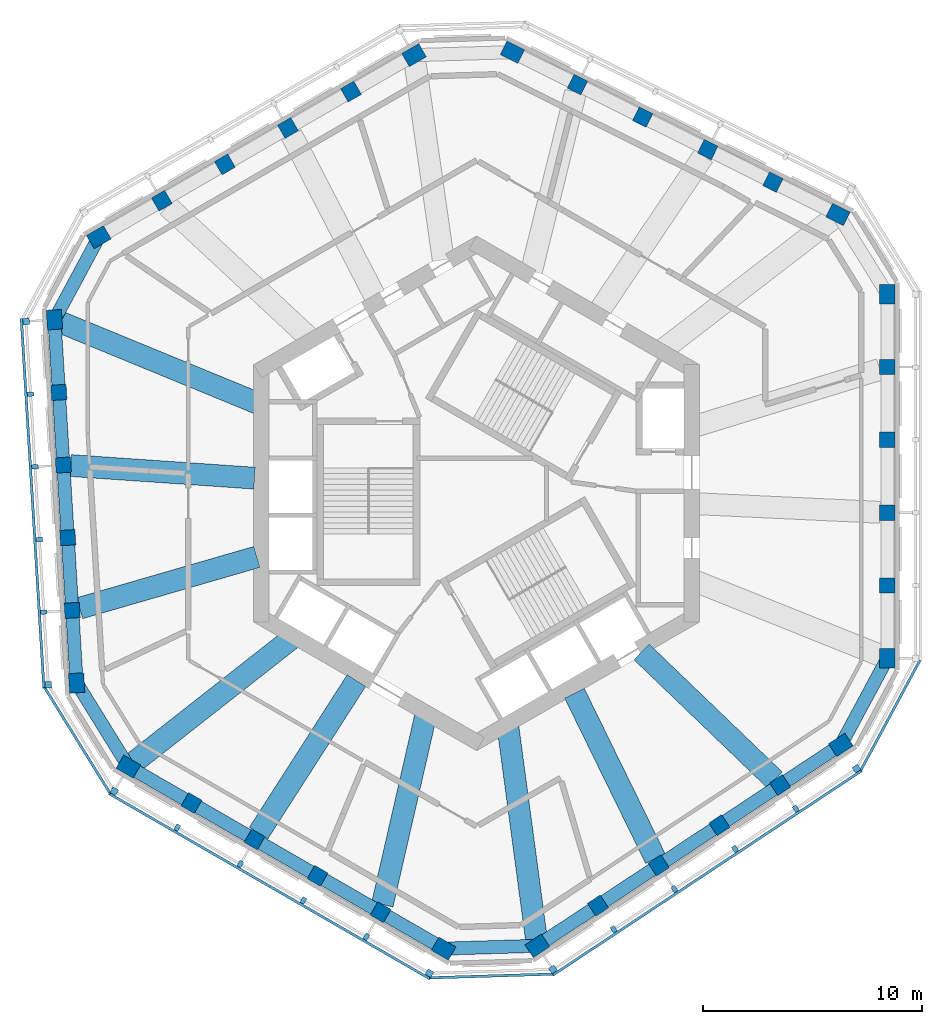
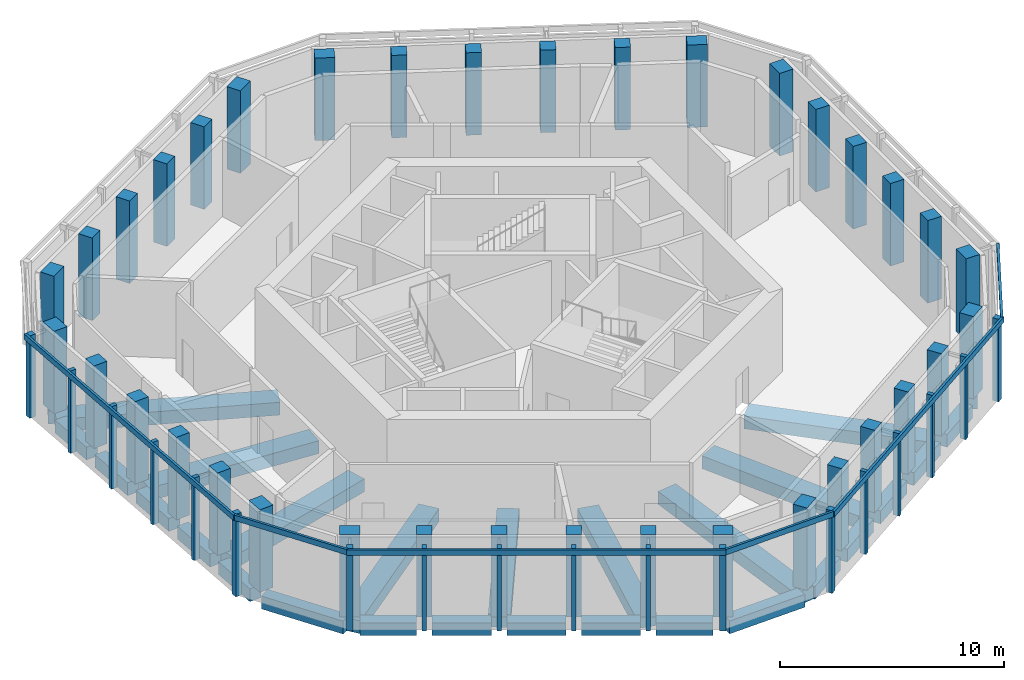
# One storey, part 1 of 9: 36 columns, 28 beams, 24 members, 6 elements without a shape of their own.
"""IFC4 building model written with IfcOpenShell, lengths in metres."""

from ifc_helpers import new_model, si_unit, direction, frame, origin, origin_2d, place, context, subcontext, project, spatial, rectangle, extrude, material, material_profile, profile_set, type_object, element, aggregate, save


model = new_model("IFC4")

# Units and contexts
model_context = context("Model", 3, precision=1e-05, world=origin(), true_north=direction((0.0, 1.0)))
body_context = subcontext(model_context, "Body", "Model", "MODEL_VIEW")
ifc_project = project(units=[si_unit("LENGTHUNIT", "METRE"), si_unit("AREAUNIT", "SQUARE_METRE"), si_unit("VOLUMEUNIT", "CUBIC_METRE"), si_unit("PLANEANGLEUNIT", "RADIAN"), si_unit("MASSUNIT", "GRAM", prefix="KILO")], contexts=[model_context])

# Site, building, storey
site_placement = place(None, origin())
site = spatial("IfcSite", under=ifc_project, at=site_placement, CompositionType="ELEMENT")
building_placement = place(site_placement, origin())
building = spatial("IfcBuilding", under=site, at=building_placement, Name="Vanh Sen Convention Tower", CompositionType="ELEMENT")
storey_placement = place(building_placement, frame((0.0, 0.0, 300.5)))
storey = spatial("IfcBuildingStorey", under=building, at=storey_placement, Name="L74", CompositionType="ELEMENT", Elevation=300.5)

# Columns
ifc_material_1 = material(Name="Concrete C60/75", Category="concrete")
ifc_material_profile_1 = material_profile(ifc_material_1, rectangle(XDim=0.699951171875, YDim=0.699951171875, at=origin_2d()), Name="RC 700X700")
ifc_profile_set_1 = profile_set([ifc_material_profile_1], Name="Concrete C60/75")
column_type_1 = type_object("IfcColumnType", Name="Facade column 700 x 700 C60/75", PredefinedType="COLUMN", material=ifc_profile_set_1)
for number, where, z_axis, x_axis, name in (
    (1, (18.800048828125, -4.215087890625, 0.0), (0.0, 0.0, 1.0), (0.0, 1.0, 0.0), "Facade column 02 L74"),
    (2, (18.800048828125, -0.88330078125, 0.0), (0.0, 0.0, 1.0), (0.0, 1.0, 0.0), "Facade column 03 L74"),
    (3, (18.800048828125, 2.4482421875, 0.0), (0.0, 0.0, 1.0), (0.0, 1.0, 0.0), "Facade column 04 L74"),
    (4, (18.800048828125, 5.77978515625, 0.0), (0.0, 0.0, 1.0), (0.0, 1.0, 0.0), "Facade column 05 L74"),
    (5, (13.56103515625, 14.245849609375, 0.0), (0.0, 0.0, 1.0), (-0.894934361602, 0.44619781311, 0.0), "Facade column 08 L74"),
    (6, (10.57958984375, 15.732421875, 0.0), (0.0, 0.0, 1.0), (-0.894934361602, 0.44619781311, 0.0), "Facade column 09 L74"),
    (7, (7.597900390625, 17.218994140625, 0.0), (0.0, 0.0, 1.0), (-0.894934361602, 0.44619781311, 0.0), "Facade column 10 L74"),
    (8, (4.6162109375, 18.70556640625, 0.0), (0.0, 0.0, 1.0), (-0.894934361602, 0.44619781311, 0.0), "Facade column 11 L74"),
    (9, (-5.74951171875, 18.388916015625, 0.0), (0.0, 0.0, 1.0), (-0.866025403784, -0.5, 0.0), "Facade column 14 L74"),
    (10, (-8.635009765625, 16.722900390625, 0.0), (0.0, 0.0, 1.0), (-0.866025403784, -0.5, 0.0), "Facade column 15 L74"),
    (11, (-11.520263671875, 15.05712890625, 0.0), (0.0, 0.0, 1.0), (-0.866025403784, -0.5, 0.0), "Facade column 16 L74"),
    (12, (-14.405517578125, 13.391357421875, 0.0), (0.0, 0.0, 1.0), (-0.866025403784, -0.5, 0.0), "Facade column 17 L74"),
    (13, (-19.117919921875, 4.621337890625, 0.0), (0.0, 0.0, 1.0), (0.061048539535, -0.998134798422, 0.0), "Facade column 20 L74"),
    (14, (-18.914306640625, 1.2958984375, 0.0), (0.0, 0.0, 1.0), (0.061048539535, -0.998134798422, 0.0), "Facade column 21 L74"),
    (15, (-18.7109375, -2.029541015625, 0.0), (0.0, 0.0, 1.0), (0.061048539535, -0.998134798422, 0.0), "Facade column 22 L74"),
    (16, (-18.507568359375, -5.35498046875, 0.0), (0.0, 0.0, 1.0), (0.061048539535, -0.998134798422, 0.0), "Facade column 23 L74"),
    (17, (-13.05029296875, -14.173583984375, 0.0), (0.0, 0.0, 1.0), (0.866025403784, -0.5, 0.0), "Facade column 26 L74"),
    (18, (-10.1650390625, -15.839599609375, 0.0), (0.0, 0.0, 1.0), (0.866025403784, -0.5, 0.0), "Facade column 27 L74"),
    (19, (-7.27978515625, -17.50537109375, 0.0), (0.0, 0.0, 1.0), (0.866025403784, -0.5, 0.0), "Facade column 28 L74"),
    (20, (-4.39453125, -19.171142578125, 0.0), (0.0, 0.0, 1.0), (0.866025403784, -0.5, 0.0), "Facade column 29 L74"),
    (21, (5.556640625, -18.8671875, 0.0), (0.0, 0.0, 1.0), (0.833885822067, 0.551936985312, 0.0), "Facade column 32 L74"),
    (22, (8.3349609375, -17.0283203125, 0.0), (0.0, 0.0, 1.0), (0.833885822067, 0.551936985312, 0.0), "Facade column 33 L74"),
    (23, (11.113037109375, -15.189453125, 0.0), (0.0, 0.0, 1.0), (0.833885822067, 0.551936985312, 0.0), "Facade column 34 L74"),
    (24, (13.891357421875, -13.3505859375, 0.0), (0.0, 0.0, 1.0), (0.833885822067, 0.551936985312, 0.0), "Facade column 35 L74"),
):
    element("IfcColumn", number, at=place(storey_placement, frame(where, z_axis=z_axis, x_axis=x_axis)), inside=storey, type_object=column_type_1, Name=name, PredefinedType="COLUMN", context=body_context, shape_type="SweptSolid", body=[
        extrude(rectangle(XDim=0.699951171875, YDim=0.699951171875, at=origin_2d()), origin(), (0.0, 0.0, 1.0), 4.5),
    ])
ifc_material_profile_2 = material_profile(ifc_material_1, rectangle(XDim=0.89990234375, YDim=0.699951171875, at=origin_2d()), Name="RC 900X700")
ifc_profile_set_2 = profile_set([ifc_material_profile_2], Name="Concrete C60/75")
column_type_2 = type_object("IfcColumnType", Name="Facade corner column 900 x 700 C60/75", PredefinedType="COLUMN", material=ifc_profile_set_2)
for number, where, z_axis, x_axis, name in (
    (25, (18.800048828125, -7.546630859375, 0.0), (0.0, 0.0, 1.0), (0.0, 1.0, 0.0), "Facade column 01 L74"),
    (26, (18.800048828125, 9.111572265625, 0.0), (0.0, 0.0, 1.0), (0.0, 1.0, 0.0), "Facade column 06 L74"),
    (27, (16.542724609375, 12.75927734375, 0.0), (0.0, 0.0, 1.0), (-0.894934361602, 0.44619781311, 0.0), "Facade column 07 L74"),
    (28, (1.634765625, 20.192138671875, 0.0), (0.0, 0.0, 1.0), (-0.894934361602, 0.44619781311, 0.0), "Facade column 12 L74"),
    (29, (-2.8642578125, 20.0546875, 0.0), (0.0, 0.0, 1.0), (-0.866025403784, -0.5, 0.0), "Facade column 13 L74"),
    (30, (-17.290771484375, 11.7255859375, 0.0), (0.0, 0.0, 1.0), (-0.866025403784, -0.5, 0.0), "Facade column 18 L74"),
    (31, (-19.3212890625, 7.94677734375, 0.0), (0.0, 0.0, 1.0), (0.061048539535, -0.998134798422, 0.0), "Facade column 19 L74"),
    (32, (-18.30419921875, -8.680419921875, 0.0), (0.0, 0.0, 1.0), (0.061048539535, -0.998134798422, 0.0), "Facade column 24 L74"),
    (33, (-15.935791015625, -12.5078125, 0.0), (0.0, 0.0, 1.0), (0.866025403784, -0.5, 0.0), "Facade column 25 L74"),
    (34, (-1.50927734375, -20.8369140625, 0.0), (0.0, 0.0, 1.0), (0.866025403784, -0.5, 0.0), "Facade column 30 L74"),
    (35, (2.7783203125, -20.7060546875, 0.0), (0.0, 0.0, 1.0), (0.833885822067, 0.551936985312, 0.0), "Facade column 31 L74"),
    (36, (16.66943359375, -11.51171875, 0.0), (0.0, 0.0, 1.0), (0.833885822067, 0.551936985312, 0.0), "Facade column 36 L74"),
):
    element("IfcColumn", number, at=place(storey_placement, frame(where, z_axis=z_axis, x_axis=x_axis)), inside=storey, type_object=column_type_2, Name=name, PredefinedType="COLUMN", context=body_context, shape_type="SweptSolid", body=[
        extrude(rectangle(XDim=0.89990234375, YDim=0.699951171875, at=origin_2d()), origin(), (0.0, 0.0, 1.0), 4.5),
    ])

# Curtain wall, members
ifc_material_2 = material(Name="Concrete C50/60", Category="concrete")
curtain_wall_type = type_object("IfcCurtainWallType", Name="Outer skin office zone", PredefinedType="NOTDEFINED", material=ifc_material_2)
curtain_wall_1_placement = place(storey_placement, origin())
curtain_wall_1 = element("IfcCurtainWall", 37, at=curtain_wall_1_placement, inside=storey, type_object=curtain_wall_type, Name="OUTER SKIN W L74", PredefinedType="NOTDEFINED")
ifc_material_profile_3 = material_profile(ifc_material_2, rectangle(XDim=0.300048828125, YDim=0.300048828125, at=origin_2d()), Name="Outer skin precast corner fin 300 x 300")
ifc_profile_set_3 = profile_set([ifc_material_profile_3], Name="Concrete C50/60")
member_type_1 = type_object("IfcMemberType", Name="Outer skin precast corner fin 300 x 300", PredefinedType="MULLION", material=ifc_profile_set_3)
member_1_placement = place(storey_placement, frame((-20.618896484375, 7.867431640625, 0.0), z_axis=(0.0, 0.0, 1.0), x_axis=(0.061048539535, -0.998134798422, 0.0)))
member_1 = element("IfcMember", 38, at=member_1_placement, type_object=member_type_1, Name="OUTER SKIN CORNER FIN 1 W L74", PredefinedType="MULLION", context=body_context, shape_type="SweptSolid", body=[
    extrude(rectangle(XDim=0.300048828125, YDim=0.300048828125, at=origin_2d()), origin(), (0.0, 0.0, 1.0), 4.5),
])
member_2_placement = place(storey_placement, frame((-19.601806640625, -8.759765625, 0.0), z_axis=(0.0, 0.0, 1.0), x_axis=(0.061048539535, -0.998134798422, 0.0)))
member_2 = element("IfcMember", 39, at=member_2_placement, type_object=member_type_1, Name="OUTER SKIN CORNER FIN 6 W L74", PredefinedType="MULLION", context=body_context, shape_type="SweptSolid", body=[
    extrude(rectangle(XDim=0.300048828125, YDim=0.300048828125, at=origin_2d()), origin(), (0.0, 0.0, 1.0), 4.5),
])

curtain_wall_2_placement = place(storey_placement, origin())
curtain_wall_2 = element("IfcCurtainWall", 40, at=curtain_wall_2_placement, inside=storey, type_object=curtain_wall_type, Name="OUTER SKIN SW L74", PredefinedType="NOTDEFINED")
member_3_placement = place(storey_placement, frame((-16.585693359375, -13.6337890625, 0.0), z_axis=(0.0, 0.0, 1.0), x_axis=(0.866025403784, -0.5, 0.0)))
member_3 = element("IfcMember", 41, at=member_3_placement, type_object=member_type_1, Name="OUTER SKIN CORNER FIN 1 SW L74", PredefinedType="MULLION", context=body_context, shape_type="SweptSolid", body=[
    extrude(rectangle(XDim=0.300048828125, YDim=0.300048828125, at=origin_2d()), origin(), (0.0, 0.0, 1.0), 4.5),
])
member_4_placement = place(storey_placement, frame((-2.1591796875, -21.962890625, 0.0), z_axis=(0.0, 0.0, 1.0), x_axis=(0.866025403784, -0.5, 0.0)))
member_4 = element("IfcMember", 42, at=member_4_placement, type_object=member_type_1, Name="OUTER SKIN CORNER FIN 6 SW L74", PredefinedType="MULLION", context=body_context, shape_type="SweptSolid", body=[
    extrude(rectangle(XDim=0.300048828125, YDim=0.300048828125, at=origin_2d()), origin(), (0.0, 0.0, 1.0), 4.5),
])

curtain_wall_3_placement = place(storey_placement, origin())
curtain_wall_3 = element("IfcCurtainWall", 43, at=curtain_wall_3_placement, inside=storey, type_object=curtain_wall_type, Name="OUTER SKIN SE L74", PredefinedType="NOTDEFINED")
member_5_placement = place(storey_placement, frame((3.495849609375, -21.7900390625, 0.0), z_axis=(0.0, 0.0, 1.0), x_axis=(0.833885822067, 0.551936985312, 0.0)))
member_5 = element("IfcMember", 44, at=member_5_placement, type_object=member_type_1, Name="OUTER SKIN CORNER FIN 1 SE L74", PredefinedType="MULLION", context=body_context, shape_type="SweptSolid", body=[
    extrude(rectangle(XDim=0.300048828125, YDim=0.300048828125, at=origin_2d()), origin(), (0.0, 0.0, 1.0), 4.5),
])
member_6_placement = place(storey_placement, frame((17.386962890625, -12.595703125, 0.0), z_axis=(0.0, 0.0, 1.0), x_axis=(0.833885822067, 0.551936985312, 0.0)))
member_6 = element("IfcMember", 45, at=member_6_placement, type_object=member_type_1, Name="OUTER SKIN CORNER FIN 6 SE L74", PredefinedType="MULLION", context=body_context, shape_type="SweptSolid", body=[
    extrude(rectangle(XDim=0.300048828125, YDim=0.300048828125, at=origin_2d()), origin(), (0.0, 0.0, 1.0), 4.5),
])

# Member
ifc_material_profile_4 = material_profile(ifc_material_2, rectangle(XDim=0.199951171875, YDim=0.300048828125, at=origin_2d()), Name="Outer skin precast fin 200 x 300")
ifc_profile_set_4 = profile_set([ifc_material_profile_4], Name="Concrete C50/60")
member_type_2 = type_object("IfcMemberType", Name="Outer skin precast fin 200 x 300", PredefinedType="MULLION", material=ifc_profile_set_4)
member_7_placement = place(storey_placement, frame((-20.415283203125, 4.5419921875, 0.0), z_axis=(0.0, 0.0, 1.0), x_axis=(0.061048539535, -0.998134798422, 0.0)))
member_7 = element("IfcMember", 46, at=member_7_placement, type_object=member_type_2, Name="OUTER SKIN fin 2 W L74", PredefinedType="MULLION", context=body_context, shape_type="SweptSolid", body=[
    extrude(rectangle(XDim=0.199951171875, YDim=0.300048828125, at=origin_2d()), origin(), (0.0, 0.0, 1.0), 4.5),
])

member_8_placement = place(storey_placement, frame((-20.2119140625, 1.216552734375, 0.0), z_axis=(0.0, 0.0, 1.0), x_axis=(0.061048539535, -0.998134798422, 0.0)))
member_8 = element("IfcMember", 47, at=member_8_placement, type_object=member_type_2, Name="OUTER SKIN fin 3 W L74", PredefinedType="MULLION", context=body_context, shape_type="SweptSolid", body=[
    extrude(rectangle(XDim=0.199951171875, YDim=0.300048828125, at=origin_2d()), origin(), (0.0, 0.0, 1.0), 4.5),
])

member_9_placement = place(storey_placement, frame((-20.008544921875, -2.10888671875, 0.0), z_axis=(0.0, 0.0, 1.0), x_axis=(0.061048539535, -0.998134798422, 0.0)))
member_9 = element("IfcMember", 48, at=member_9_placement, type_object=member_type_2, Name="OUTER SKIN fin 4 W L74", PredefinedType="MULLION", context=body_context, shape_type="SweptSolid", body=[
    extrude(rectangle(XDim=0.199951171875, YDim=0.300048828125, at=origin_2d()), origin(), (0.0, 0.0, 1.0), 4.5),
])

member_10_placement = place(storey_placement, frame((-19.80517578125, -5.434326171875, 0.0), z_axis=(0.0, 0.0, 1.0), x_axis=(0.061048539535, -0.998134798422, 0.0)))
member_10 = element("IfcMember", 49, at=member_10_placement, type_object=member_type_2, Name="OUTER SKIN fin 5 W L74", PredefinedType="MULLION", context=body_context, shape_type="SweptSolid", body=[
    extrude(rectangle(XDim=0.199951171875, YDim=0.300048828125, at=origin_2d()), origin(), (0.0, 0.0, 1.0), 4.5),
])

member_11_placement = place(storey_placement, frame((-13.700439453125, -15.299560546875, 0.0), z_axis=(0.0, 0.0, 1.0), x_axis=(0.866025403784, -0.5, 0.0)))
member_11 = element("IfcMember", 50, at=member_11_placement, type_object=member_type_2, Name="OUTER SKIN fin 2 SW L74", PredefinedType="MULLION", context=body_context, shape_type="SweptSolid", body=[
    extrude(rectangle(XDim=0.199951171875, YDim=0.300048828125, at=origin_2d()), origin(), (0.0, 0.0, 1.0), 4.5),
])

member_12_placement = place(storey_placement, frame((-10.815185546875, -16.96533203125, 0.0), z_axis=(0.0, 0.0, 1.0), x_axis=(0.866025403784, -0.5, 0.0)))
member_12 = element("IfcMember", 51, at=member_12_placement, type_object=member_type_2, Name="OUTER SKIN fin 3 SW L74", PredefinedType="MULLION", context=body_context, shape_type="SweptSolid", body=[
    extrude(rectangle(XDim=0.199951171875, YDim=0.300048828125, at=origin_2d()), origin(), (0.0, 0.0, 1.0), 4.5),
])

member_13_placement = place(storey_placement, frame((-7.9296875, -18.631103515625, 0.0), z_axis=(0.0, 0.0, 1.0), x_axis=(0.866025403784, -0.5, 0.0)))
member_13 = element("IfcMember", 52, at=member_13_placement, type_object=member_type_2, Name="OUTER SKIN fin 4 SW L74", PredefinedType="MULLION", context=body_context, shape_type="SweptSolid", body=[
    extrude(rectangle(XDim=0.199951171875, YDim=0.300048828125, at=origin_2d()), origin(), (0.0, 0.0, 1.0), 4.5),
])

member_14_placement = place(storey_placement, frame((-5.04443359375, -20.297119140625, 0.0), z_axis=(0.0, 0.0, 1.0), x_axis=(0.866025403784, -0.5, 0.0)))
member_14 = element("IfcMember", 53, at=member_14_placement, type_object=member_type_2, Name="OUTER SKIN fin 5 SW L74", PredefinedType="MULLION", context=body_context, shape_type="SweptSolid", body=[
    extrude(rectangle(XDim=0.199951171875, YDim=0.300048828125, at=origin_2d()), origin(), (0.0, 0.0, 1.0), 4.5),
])

member_15_placement = place(storey_placement, frame((6.274169921875, -19.951416015625, 0.0), z_axis=(0.0, 0.0, 1.0), x_axis=(0.833885822067, 0.551936985312, 0.0)))
member_15 = element("IfcMember", 54, at=member_15_placement, type_object=member_type_2, Name="OUTER SKIN fin 2 SE L74", PredefinedType="MULLION", context=body_context, shape_type="SweptSolid", body=[
    extrude(rectangle(XDim=0.199951171875, YDim=0.300048828125, at=origin_2d()), origin(), (0.0, 0.0, 1.0), 4.5),
])

member_16_placement = place(storey_placement, frame((9.052490234375, -18.1123046875, 0.0), z_axis=(0.0, 0.0, 1.0), x_axis=(0.833885822067, 0.551936985312, 0.0)))
member_16 = element("IfcMember", 55, at=member_16_placement, type_object=member_type_2, Name="OUTER SKIN fin 3 SE L74", PredefinedType="MULLION", context=body_context, shape_type="SweptSolid", body=[
    extrude(rectangle(XDim=0.199951171875, YDim=0.300048828125, at=origin_2d()), origin(), (0.0, 0.0, 1.0), 4.5),
])

member_17_placement = place(storey_placement, frame((11.83056640625, -16.273681640625, 0.0), z_axis=(0.0, 0.0, 1.0), x_axis=(0.833885822067, 0.551936985312, 0.0)))
member_17 = element("IfcMember", 56, at=member_17_placement, type_object=member_type_2, Name="OUTER SKIN fin 4 SE L74", PredefinedType="MULLION", context=body_context, shape_type="SweptSolid", body=[
    extrude(rectangle(XDim=0.199951171875, YDim=0.300048828125, at=origin_2d()), origin(), (0.0, 0.0, 1.0), 4.5),
])

member_18_placement = place(storey_placement, frame((14.60888671875, -14.434814453125, 0.0), z_axis=(0.0, 0.0, 1.0), x_axis=(0.833885822067, 0.551936985312, 0.0)))
member_18 = element("IfcMember", 57, at=member_18_placement, type_object=member_type_2, Name="OUTER SKIN fin 5 SE L74", PredefinedType="MULLION", context=body_context, shape_type="SweptSolid", body=[
    extrude(rectangle(XDim=0.199951171875, YDim=0.300048828125, at=origin_2d()), origin(), (0.0, 0.0, 1.0), 4.5),
])

ifc_material_profile_5 = material_profile(ifc_material_2, rectangle(XDim=0.1201171875, YDim=0.300048828125, at=origin_2d()), Name="Outer skin precast spandrel band 300 x 120")
ifc_profile_set_5 = profile_set([ifc_material_profile_5], Name="Concrete C50/60")
member_type_3 = type_object("IfcMemberType", Name="Outer skin precast spandrel band 300 x 120", PredefinedType="USERDEFINED", material=ifc_profile_set_5)
member_19_placement = place(storey_placement, frame((-20.83740234375, 8.00439453125, 4.35009765625), z_axis=(0.061040984027, -0.998135260508, 0.0), x_axis=(0.998135260508, 0.061040984027, 0.0)))
member_19 = element("IfcMember", 58, at=member_19_placement, type_object=member_type_3, Name="OUTER SKIN spandrel band W L74", ObjectType="TRANSOM", PredefinedType="USERDEFINED", context=body_context, shape_type="SweptSolid", body=[
    extrude(rectangle(XDim=0.1201171875, YDim=0.300048828125, at=origin_2d()), origin(), (0.0, 0.0, 1.0), 16.95849609375),
])

aggregate(curtain_wall_1, [member_1, member_7, member_8, member_9, member_10, member_2, member_19])

# Curtain wall, member
curtain_wall_4_placement = place(storey_placement, origin())
curtain_wall_4 = element("IfcCurtainWall", 59, at=curtain_wall_4_placement, inside=storey, type_object=curtain_wall_type, Name="OUTER SKIN CH4 L74", PredefinedType="NOTDEFINED")
member_20_placement = place(storey_placement, frame((-19.7802734375, -8.870361328125, 4.35009765625), z_axis=(0.526199162152, -0.850361359512, 0.0), x_axis=(0.850361359512, 0.526199162152, 0.0)))
member_20 = element("IfcMember", 60, at=member_20_placement, type_object=member_type_3, Name="OUTER SKIN spandrel band CH4 L74", ObjectType="TRANSOM", PredefinedType="USERDEFINED", context=body_context, shape_type="SweptSolid", body=[
    extrude(rectangle(XDim=0.1201171875, YDim=0.300048828125, at=origin_2d()), origin(), (0.0, 0.0, 1.0), 5.7314453125),
])
aggregate(curtain_wall_4, [member_20])

# Member
member_21_placement = place(storey_placement, frame((-16.820556640625, -13.740478515625, 4.35009765625), z_axis=(0.866022320763, -0.500005339912, 0.0), x_axis=(0.500005339912, 0.866022320763, 0.0)))
member_21 = element("IfcMember", 61, at=member_21_placement, type_object=member_type_3, Name="OUTER SKIN spandrel band SW L74", ObjectType="TRANSOM", PredefinedType="USERDEFINED", context=body_context, shape_type="SweptSolid", body=[
    extrude(rectangle(XDim=0.1201171875, YDim=0.300048828125, at=origin_2d()), origin(), (0.0, 0.0, 1.0), 16.958251953125),
])

aggregate(curtain_wall_2, [member_3, member_11, member_12, member_13, member_14, member_4, member_21])

# Curtain wall, member
curtain_wall_5_placement = place(storey_placement, origin())
curtain_wall_5 = element("IfcCurtainWall", 62, at=curtain_wall_5_placement, inside=storey, type_object=curtain_wall_type, Name="OUTER SKIN CH5 L74", PredefinedType="NOTDEFINED")
member_22_placement = place(storey_placement, frame((-2.15283203125, -22.172607421875, 4.35009765625), z_axis=(0.999534504066, 0.030508608314, 0.0), x_axis=(-0.030508608314, 0.999534504066, 0.0)))
member_22 = element("IfcMember", 63, at=member_22_placement, type_object=member_type_3, Name="OUTER SKIN spandrel band CH5 L74", ObjectType="TRANSOM", PredefinedType="USERDEFINED", context=body_context, shape_type="SweptSolid", body=[
    extrude(rectangle(XDim=0.1201171875, YDim=0.300048828125, at=origin_2d()), origin(), (0.0, 0.0, 1.0), 5.65771484375),
])
aggregate(curtain_wall_5, [member_22])

# Member
member_23_placement = place(storey_placement, frame((3.48681640625, -22.048095703125, 4.35009765625), z_axis=(0.833877443168, 0.551949644239, 0.0), x_axis=(-0.551949644239, 0.833877443168, 0.0)))
member_23 = element("IfcMember", 64, at=member_23_placement, type_object=member_type_3, Name="OUTER SKIN spandrel band SE L74", ObjectType="TRANSOM", PredefinedType="USERDEFINED", context=body_context, shape_type="SweptSolid", body=[
    extrude(rectangle(XDim=0.1201171875, YDim=0.300048828125, at=origin_2d()), origin(), (0.0, 0.0, 1.0), 16.958251953125),
])

aggregate(curtain_wall_3, [member_5, member_15, member_16, member_17, member_18, member_6, member_23])

# Curtain wall, member
curtain_wall_6_placement = place(storey_placement, origin())
curtain_wall_6 = element("IfcCurtainWall", 65, at=curtain_wall_6_placement, inside=storey, type_object=curtain_wall_type, Name="OUTER SKIN CH6 L74", PredefinedType="NOTDEFINED")
member_24_placement = place(storey_placement, frame((17.572021484375, -12.695068359375, 4.35009765625), z_axis=(0.473309680768, 0.880896104028, 0.0), x_axis=(-0.880896104028, 0.473309680768, 0.0)))
member_24 = element("IfcMember", 66, at=member_24_placement, type_object=member_type_3, Name="OUTER SKIN spandrel band CH6 L74", ObjectType="TRANSOM", PredefinedType="USERDEFINED", context=body_context, shape_type="SweptSolid", body=[
    extrude(rectangle(XDim=0.1201171875, YDim=0.300048828125, at=origin_2d()), origin(), (0.0, 0.0, 1.0), 5.731689453125),
])
aggregate(curtain_wall_6, [member_24])

# Beams
ifc_material_3 = material(Name="Concrete C50/60", Category="concrete")
ifc_material_profile_6 = material_profile(ifc_material_3, rectangle(XDim=1.0, YDim=0.699951171875, at=origin_2d()), Name="RC 1000X700")
ifc_profile_set_6 = profile_set([ifc_material_profile_6], Name="Concrete C50/60")
beam_type_1 = type_object("IfcBeamType", Name="Radial floor beam 1000 x 700", PredefinedType="BEAM", material=ifc_profile_set_6)
beam_1_placement = place(storey_placement, frame((-19.32568359375, 7.94873046875, -0.699951171875), z_axis=(0.924822519445, -0.380398879504, 0.0), x_axis=(0.380398879504, 0.924822519445, 0.0)))
element("IfcBeam", 67, at=beam_1_placement, inside=storey, type_object=beam_type_1, Name="Radial beam 10 L74", PredefinedType="BEAM", context=body_context, shape_type="SweptSolid", body=[
    extrude(rectangle(XDim=1.0, YDim=0.699951171875, at=origin_2d()), origin(), (0.0, 0.0, 1.0), 10.078125),
])
beam_2_placement = place(storey_placement, frame((-18.5673828125, 1.272216796875, -0.699951171875), z_axis=(0.997661428588, -0.068349644528, 0.0), x_axis=(0.068349644528, 0.997661428588, 0.0)))
element("IfcBeam", 68, at=beam_2_placement, inside=storey, type_object=beam_type_1, Name="Radial beam 11 L74", PredefinedType="BEAM", context=body_context, shape_type="SweptSolid", body=[
    extrude(rectangle(XDim=1.0, YDim=0.699951171875, at=origin_2d()), origin(), (0.0, 0.0, 1.0), 8.42626953125),
])
beam_3_placement = place(storey_placement, frame((-18.167724609375, -5.256591796875, -0.699951171875), z_axis=(0.96060103798, 0.277931009123, 0.0), x_axis=(-0.277931009123, 0.96060103798, 0.0)))
element("IfcBeam", 69, at=beam_3_placement, inside=storey, type_object=beam_type_1, Name="Radial beam 12 L74", PredefinedType="BEAM", context=body_context, shape_type="SweptSolid", body=[
    extrude(rectangle(XDim=1.0, YDim=0.699951171875, at=origin_2d()), origin(), (0.0, 0.0, 1.0), 8.4443359375),
])
beam_4_placement = place(storey_placement, frame((-15.909912109375, -12.48779296875, -0.699951171875), z_axis=(0.786623367429, 0.61743313631, 0.0), x_axis=(-0.61743313631, 0.786623367429, 0.0)))
element("IfcBeam", 70, at=beam_4_placement, inside=storey, type_object=beam_type_1, Name="Radial beam 13 L74", PredefinedType="BEAM", context=body_context, shape_type="SweptSolid", body=[
    extrude(rectangle(XDim=1.0, YDim=0.699951171875, at=origin_2d()), origin(), (0.0, 0.0, 1.0), 9.440185546875),
])
beam_5_placement = place(storey_placement, frame((-9.978515625, -15.548828125, -0.699951171875), z_axis=(0.540096753763, 0.841602932846, 0.0), x_axis=(-0.841602932846, 0.540096753763, 0.0)))
element("IfcBeam", 71, at=beam_5_placement, inside=storey, type_object=beam_type_1, Name="Radial beam 14 L74", PredefinedType="BEAM", context=body_context, shape_type="SweptSolid", body=[
    extrude(rectangle(XDim=1.0, YDim=0.699951171875, at=origin_2d()), origin(), (0.0, 0.0, 1.0), 8.29248046875),
])
beam_6_placement = place(storey_placement, frame((-4.313720703125, -18.819091796875, -0.699951171875), z_axis=(0.22340967383, 0.974724636828, 0.0), x_axis=(-0.974724636828, 0.22340967383, 0.0)))
element("IfcBeam", 72, at=beam_6_placement, inside=storey, type_object=beam_type_1, Name="Radial beam 15 L74", PredefinedType="BEAM", context=body_context, shape_type="SweptSolid", body=[
    extrude(rectangle(XDim=1.0, YDim=0.699951171875, at=origin_2d()), origin(), (0.0, 0.0, 1.0), 8.794921875),
])
beam_7_placement = place(storey_placement, frame((2.779052734375, -20.7109375, -0.699951171875), z_axis=(-0.132995151141, 0.991116688273, 0.0), x_axis=(-0.991116688273, -0.132995151141, 0.0)))
element("IfcBeam", 73, at=beam_7_placement, inside=storey, type_object=beam_type_1, Name="Radial beam 16 L74", PredefinedType="BEAM", context=body_context, shape_type="SweptSolid", body=[
    extrude(rectangle(XDim=1.0, YDim=0.699951171875, at=origin_2d()), origin(), (0.0, 0.0, 1.0), 10.078125),
])
beam_8_placement = place(storey_placement, frame((8.181884765625, -16.7158203125, -0.699951171875), z_axis=(-0.43962945739, 0.898179236119, 0.0), x_axis=(-0.898179236119, -0.43962945739, 0.0)))
element("IfcBeam", 74, at=beam_8_placement, inside=storey, type_object=beam_type_1, Name="Radial beam 17 L74", PredefinedType="BEAM", context=body_context, shape_type="SweptSolid", body=[
    extrude(rectangle(XDim=1.0, YDim=0.699951171875, at=origin_2d()), origin(), (0.0, 0.0, 1.0), 8.426025390625),
])
beam_9_placement = place(storey_placement, frame((13.63623046875, -13.10546875, -0.699951171875), z_axis=(-0.721004158524, 0.692930734916, 0.0), x_axis=(-0.692930734916, -0.721004158524, 0.0)))
element("IfcBeam", 75, at=beam_9_placement, inside=storey, type_object=beam_type_1, Name="Radial beam 18 L74", PredefinedType="BEAM", context=body_context, shape_type="SweptSolid", body=[
    extrude(rectangle(XDim=1.0, YDim=0.699951171875, at=origin_2d()), origin(), (0.0, 0.0, 1.0), 8.4443359375),
])
ifc_material_profile_7 = material_profile(ifc_material_3, rectangle(XDim=0.60009765625, YDim=0.699951171875, at=origin_2d()), Name="RC 600X700")
ifc_profile_set_7 = profile_set([ifc_material_profile_7], Name="Concrete C50/60")
beam_type_2 = type_object("IfcBeamType", Name="Spandrel beam 600 x 700", PredefinedType="SPANDREL", material=ifc_profile_set_7)
beam_10_placement = place(storey_placement, frame((-17.373779296875, 11.571044921875, -0.699951171875), z_axis=(-0.47334933891, -0.880874794368, 0.0), x_axis=(0.880874794368, -0.47334933891, 0.0)))
element("IfcBeam", 76, at=beam_10_placement, inside=storey, type_object=beam_type_2, Name="Spandrel beam 18 L74", PredefinedType="SPANDREL", context=body_context, shape_type="SweptSolid", body=[
    extrude(rectangle(XDim=0.60009765625, YDim=0.699951171875, at=origin_2d()), origin(), (0.0, 0.0, 1.0), 3.93896484375),
])
beam_11_placement = place(storey_placement, frame((-19.2939453125, 7.502685546875, -0.699951171875), z_axis=(0.060996786272, -0.99813796244, 0.0), x_axis=(0.99813796244, 0.060996786272, 0.0)))
element("IfcBeam", 77, at=beam_11_placement, inside=storey, type_object=beam_type_2, Name="Spandrel beam 19 L74", PredefinedType="SPANDREL", context=body_context, shape_type="SweptSolid", body=[
    extrude(rectangle(XDim=0.60009765625, YDim=0.699951171875, at=origin_2d()), origin(), (0.0, 0.0, 1.0), 2.54150390625),
])
for number, where, z_axis, x_axis, name in (
    (78, (-19.0966796875, 4.277099609375, -0.699951171875), (0.060991691574, -0.998138273767, 0.0), (0.998138273767, 0.060991691574, 0.0), "Spandrel beam 20 L74"),
    (79, (-18.893310546875, 0.95166015625, -0.699951171875), (0.060991691574, -0.998138273767, 0.0), (0.998138273767, 0.060991691574, 0.0), "Spandrel beam 21 L74"),
):
    element("IfcBeam", number, at=place(storey_placement, frame(where, z_axis=z_axis, x_axis=x_axis)), inside=storey, type_object=beam_type_2, Name=name, PredefinedType="SPANDREL", context=body_context, shape_type="SweptSolid", body=[
        extrude(rectangle(XDim=0.60009765625, YDim=0.699951171875, at=origin_2d()), origin(), (0.0, 0.0, 1.0), 2.641845703125),
    ])
beam_12_placement = place(storey_placement, frame((-18.68994140625, -2.373779296875, -0.699951171875), z_axis=(0.060997317941, -0.99813792995, 0.0), x_axis=(0.99813792995, 0.060997317941, 0.0)))
element("IfcBeam", 80, at=beam_12_placement, inside=storey, type_object=beam_type_2, Name="Spandrel beam 22 L74", PredefinedType="SPANDREL", context=body_context, shape_type="SweptSolid", body=[
    extrude(rectangle(XDim=0.60009765625, YDim=0.699951171875, at=origin_2d()), origin(), (0.0, 0.0, 1.0), 2.6416015625),
])
beam_13_placement = place(storey_placement, frame((-18.486572265625, -5.69921875, -0.699951171875), z_axis=(0.061086629106, -0.998132468034, 0.0), x_axis=(0.998132468034, 0.061086629106, 0.0)))
element("IfcBeam", 81, at=beam_13_placement, inside=storey, type_object=beam_type_2, Name="Spandrel beam 23 L74", PredefinedType="SPANDREL", context=body_context, shape_type="SweptSolid", body=[
    extrude(rectangle(XDim=0.60009765625, YDim=0.699951171875, at=origin_2d()), origin(), (0.0, 0.0, 1.0), 2.541748046875),
])
beam_14_placement = place(storey_placement, frame((-18.21142578125, -8.830078125, -0.699951171875), z_axis=(0.526190514545, -0.850366710545, 0.0), x_axis=(0.850366710545, 0.526190514545, 0.0)))
element("IfcBeam", 82, at=beam_14_placement, inside=storey, type_object=beam_type_2, Name="Spandrel beam 24 L74", PredefinedType="SPANDREL", context=body_context, shape_type="SweptSolid", body=[
    extrude(rectangle(XDim=0.60009765625, YDim=0.699951171875, at=origin_2d()), origin(), (0.0, 0.0, 1.0), 4.14892578125),
])
beam_15_placement = place(storey_placement, frame((-15.55029296875, -12.73046875, -0.699951171875), z_axis=(0.866041625918, -0.499971901387, 0.0), x_axis=(0.499971901387, 0.866041625918, 0.0)))
element("IfcBeam", 83, at=beam_15_placement, inside=storey, type_object=beam_type_2, Name="Spandrel beam 25 L74", PredefinedType="SPANDREL", context=body_context, shape_type="SweptSolid", body=[
    extrude(rectangle(XDim=0.60009765625, YDim=0.699951171875, at=origin_2d()), origin(), (0.0, 0.0, 1.0), 2.541748046875),
])
beam_16_placement = place(storey_placement, frame((-12.751708984375, -14.34619140625, -0.699951171875), z_axis=(0.86603938454, -0.49997578384, 0.0), x_axis=(0.49997578384, 0.86603938454, 0.0)))
element("IfcBeam", 84, at=beam_16_placement, inside=storey, type_object=beam_type_2, Name="Spandrel beam 26 L74", PredefinedType="SPANDREL", context=body_context, shape_type="SweptSolid", body=[
    extrude(rectangle(XDim=0.60009765625, YDim=0.699951171875, at=origin_2d()), origin(), (0.0, 0.0, 1.0), 2.641845703125),
])
for number, where, z_axis, x_axis, name in (
    (85, (-9.8662109375, -16.01220703125, -0.699951171875), (0.866016279763, -0.500015802937, 0.0), (0.500015802937, 0.866016279763, 0.0), "Spandrel beam 27 L74"),
    (86, (-6.98095703125, -17.677978515625, -0.699951171875), (0.866016279763, -0.500015802937, 0.0), (0.500015802937, 0.866016279763, 0.0), "Spandrel beam 28 L74"),
):
    element("IfcBeam", number, at=place(storey_placement, frame(where, z_axis=z_axis, x_axis=x_axis)), inside=storey, type_object=beam_type_2, Name=name, PredefinedType="SPANDREL", context=body_context, shape_type="SweptSolid", body=[
        extrude(rectangle(XDim=0.60009765625, YDim=0.699951171875, at=origin_2d()), origin(), (0.0, 0.0, 1.0), 2.6416015625),
    ])
beam_17_placement = place(storey_placement, frame((-4.095703125, -19.34375, -0.699951171875), z_axis=(0.866041625918, -0.499971901387, 0.0), x_axis=(0.499971901387, 0.866041625918, 0.0)))
element("IfcBeam", 87, at=beam_17_placement, inside=storey, type_object=beam_type_2, Name="Spandrel beam 29 L74", PredefinedType="SPANDREL", context=body_context, shape_type="SweptSolid", body=[
    extrude(rectangle(XDim=0.60009765625, YDim=0.699951171875, at=origin_2d()), origin(), (0.0, 0.0, 1.0), 2.541748046875),
])
beam_18_placement = place(storey_placement, frame((-1.333984375, -20.83154296875, -0.699951171875), z_axis=(0.999534960322, 0.03049365663, 0.0), x_axis=(-0.03049365663, 0.999534960322, 0.0)))
element("IfcBeam", 88, at=beam_18_placement, inside=storey, type_object=beam_type_2, Name="Spandrel beam 30 L74", PredefinedType="SPANDREL", context=body_context, shape_type="SweptSolid", body=[
    extrude(rectangle(XDim=0.60009765625, YDim=0.699951171875, at=origin_2d()), origin(), (0.0, 0.0, 1.0), 3.939208984375),
])
beam_19_placement = place(storey_placement, frame((3.1494140625, -20.46044921875, -0.699951171875), z_axis=(0.833907502564, 0.551904228257, 0.0), x_axis=(-0.551904228257, 0.833907502564, 0.0)))
element("IfcBeam", 89, at=beam_19_placement, inside=storey, type_object=beam_type_2, Name="Spandrel beam 31 L74", PredefinedType="SPANDREL", context=body_context, shape_type="SweptSolid", body=[
    extrude(rectangle(XDim=0.60009765625, YDim=0.699951171875, at=origin_2d()), origin(), (0.0, 0.0, 1.0), 2.541748046875),
])
beam_20_placement = place(storey_placement, frame((5.844482421875, -18.6767578125, -0.699951171875), z_axis=(0.83386589331, 0.551967093199, 0.0), x_axis=(-0.551967093199, 0.83386589331, 0.0)))
element("IfcBeam", 90, at=beam_20_placement, inside=storey, type_object=beam_type_2, Name="Spandrel beam 32 L74", PredefinedType="SPANDREL", context=body_context, shape_type="SweptSolid", body=[
    extrude(rectangle(XDim=0.60009765625, YDim=0.699951171875, at=origin_2d()), origin(), (0.0, 0.0, 1.0), 2.641357421875),
])
beam_21_placement = place(storey_placement, frame((8.62255859375, -16.837890625, -0.699951171875), z_axis=(0.833894049219, 0.55192455524, 0.0), x_axis=(-0.55192455524, 0.833894049219, 0.0)))
element("IfcBeam", 91, at=beam_21_placement, inside=storey, type_object=beam_type_2, Name="Spandrel beam 33 L74", PredefinedType="SPANDREL", context=body_context, shape_type="SweptSolid", body=[
    extrude(rectangle(XDim=0.60009765625, YDim=0.699951171875, at=origin_2d()), origin(), (0.0, 0.0, 1.0), 2.6416015625),
])
beam_22_placement = place(storey_placement, frame((11.40087890625, -14.9990234375, -0.699951171875), z_axis=(0.83386589331, 0.551967093199, 0.0), x_axis=(-0.551967093199, 0.83386589331, 0.0)))
element("IfcBeam", 92, at=beam_22_placement, inside=storey, type_object=beam_type_2, Name="Spandrel beam 34 L74", PredefinedType="SPANDREL", context=body_context, shape_type="SweptSolid", body=[
    extrude(rectangle(XDim=0.60009765625, YDim=0.699951171875, at=origin_2d()), origin(), (0.0, 0.0, 1.0), 2.641357421875),
])
beam_23_placement = place(storey_placement, frame((14.178955078125, -13.16015625, -0.699951171875), z_axis=(0.833878242334, 0.551948436868, 0.0), x_axis=(-0.551948436868, 0.833878242334, 0.0)))
element("IfcBeam", 93, at=beam_23_placement, inside=storey, type_object=beam_type_2, Name="Spandrel beam 35 L74", PredefinedType="SPANDREL", context=body_context, shape_type="SweptSolid", body=[
    extrude(rectangle(XDim=0.60009765625, YDim=0.699951171875, at=origin_2d()), origin(), (0.0, 0.0, 1.0), 2.54150390625),
])
beam_24_placement = place(storey_placement, frame((16.752685546875, -11.356689453125, -0.699951171875), z_axis=(0.473334682532, 0.880882670003, 0.0), x_axis=(-0.880882670003, 0.473334682532, 0.0)))
element("IfcBeam", 94, at=beam_24_placement, inside=storey, type_object=beam_type_2, Name="Spandrel beam 36 L74", PredefinedType="SPANDREL", context=body_context, shape_type="SweptSolid", body=[
    extrude(rectangle(XDim=0.60009765625, YDim=0.699951171875, at=origin_2d()), origin(), (0.0, 0.0, 1.0), 4.14892578125),
])

save(model, "model.ifc")
